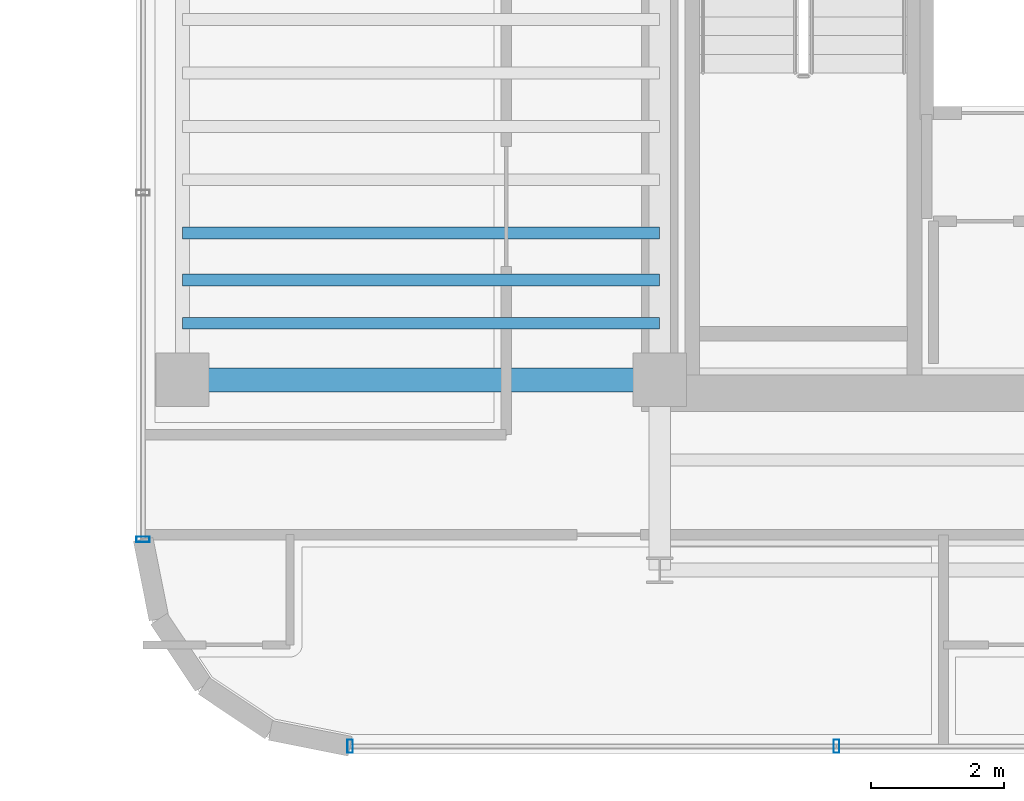
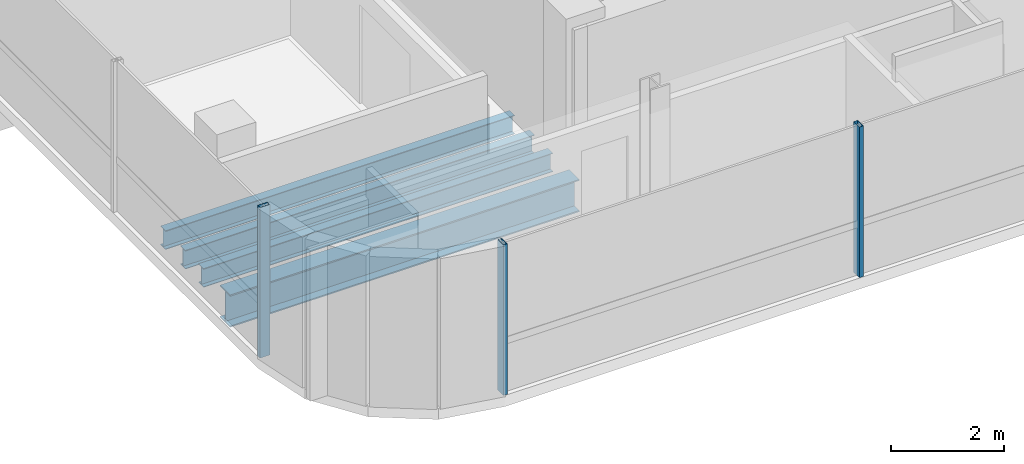
# One storey, part 2 of 20: 4 beams, 3 members, 2 elements without a shape of their own.
"""IFC4 building model written with IfcOpenShell, lengths in metres."""

from ifc_helpers import new_model, si_unit, direction, frame, origin, origin_2d, place, context, subcontext, project, spatial, hollow_rectangle, i_section, extrude, source, transform, mapped, material, material_profile, profile_set, type_object, element, aggregate, save


model = new_model("IFC4")

# Units and contexts
model_context = context("Model", 3, precision=1e-05, world=origin(), true_north=direction((0.0, 1.0)))
body_context = subcontext(model_context, "Body", "Model", "MODEL_VIEW")
ifc_project = project(units=[si_unit("LENGTHUNIT", "METRE"), si_unit("AREAUNIT", "SQUARE_METRE"), si_unit("VOLUMEUNIT", "CUBIC_METRE"), si_unit("PLANEANGLEUNIT", "RADIAN"), si_unit("MASSUNIT", "GRAM", prefix="KILO")], contexts=[model_context])

# Site, building, storey
site_placement = place(None, origin())
site = spatial("IfcSite", under=ifc_project, at=site_placement, CompositionType="ELEMENT")
building_placement = place(site_placement, origin())
building = spatial("IfcBuilding", under=site, at=building_placement, Name="Valdorenza Pilgrim Sanctuary Tower", CompositionType="ELEMENT")
storey_placement = place(building_placement, frame((0.0, 0.0, 244.0)))
storey = spatial("IfcBuildingStorey", under=building, at=storey_placement, Name="L63", CompositionType="ELEMENT", Elevation=244.0)

# Beams
ifc_material_1 = material(Name="Steel ASTM A992 Grade 50", Category="steel")
ifc_material_profile_1 = material_profile(ifc_material_1, i_section(OverallWidth=0.35595703125, OverallDepth=0.700927734375, WebThickness=0.016845703125, FlangeThickness=0.02734375, at=origin_2d()), Name="W27X161")
ifc_profile_set_1 = profile_set([ifc_material_profile_1], Name="Steel ASTM A992 Grade 50")
beam_type_1 = type_object("IfcBeamType", Name="STR-BM-GRD-W27", PredefinedType="BEAM", material=ifc_profile_set_1)
shared_shape_1 = source(origin(), body_context, "Body", "SweptSolid", [
    extrude(i_section(OverallWidth=0.35595703125, OverallDepth=0.700927734375, WebThickness=0.016845703125, FlangeThickness=0.02734375, at=origin_2d()), origin(), (0.0, 0.0, 1.0), 7.150146484375),
])
beam_placement = place(storey_placement, frame((-29.800048828125, -10.60009765625, -0.590576171875), z_axis=(1.0, 0.0, 0.0), x_axis=(0.0, 1.0, 0.0)))
element("IfcBeam", 1, at=beam_placement, inside=storey, type_object=beam_type_1, Name="L63 Floor Girder WA-XW-S1", PredefinedType="BEAM", context=body_context, shape_type="MappedRepresentation", body=[
    mapped(shared_shape_1, transform((0.0, 0.0, 0.0), x_axis=(1.0, 0.0, 0.0), y_axis=(0.0, 1.0, 0.0), z_axis=(0.0, 0.0, 1.0), scale=1.0)),
])
ifc_material_profile_2 = material_profile(ifc_material_1, i_section(OverallWidth=0.177978515625, OverallDepth=0.406005859375, WebThickness=0.0078125, FlangeThickness=0.0126953125, at=origin_2d()), Name="W16X40")
ifc_profile_set_2 = profile_set([ifc_material_profile_2], Name="Steel ASTM A992 Grade 50")
beam_type_2 = type_object("IfcBeamType", Name="STR-BM-JST-W16", PredefinedType="JOIST", material=ifc_profile_set_2)
shared_shape_2 = source(origin(), body_context, "Body", "SweptSolid", [
    extrude(i_section(OverallWidth=0.177978515625, OverallDepth=0.406005859375, WebThickness=0.0078125, FlangeThickness=0.0126953125, at=origin_2d()), origin(), (0.0, 0.0, 1.0), 7.150146484375),
])
for number, where, z_axis, x_axis, name in (
    (2, (-29.800048828125, -9.75, -0.443115234375), (1.0, 0.0, 0.0), (0.0, 1.0, 0.0), "L63 Composite Floor Joist JST-WA-1"),
    (3, (-29.800048828125, -9.10009765625, -0.443115234375), (1.0, 0.0, 0.0), (0.0, 1.0, 0.0), "L63 Composite Floor Joist JST-WA-2"),
    (4, (-29.800048828125, -8.39990234375, -0.443115234375), (1.0, 0.0, 0.0), (0.0, 1.0, 0.0), "L63 Composite Floor Joist JST-WA-3"),
):
    element("IfcBeam", number, at=place(storey_placement, frame(where, z_axis=z_axis, x_axis=x_axis)), inside=storey, type_object=beam_type_2, Name=name, PredefinedType="JOIST", context=body_context, shape_type="MappedRepresentation", body=[
        mapped(shared_shape_2, transform((0.0, 0.0, 0.0), x_axis=(1.0, 0.0, 0.0), y_axis=(0.0, 1.0, 0.0), z_axis=(0.0, 0.0, 1.0), scale=1.0)),
    ])

# Curtain wall, member
ifc_material_2 = material(Name="Curtain-wall IGU glazing", Category="glass")
curtain_wall_type = type_object("IfcCurtainWallType", Name="CW-SYS-02", PredefinedType="NOTDEFINED", material=ifc_material_2)
curtain_wall_1_placement = place(storey_placement, origin())
curtain_wall_1 = element("IfcCurtainWall", 5, at=curtain_wall_1_placement, inside=storey, type_object=curtain_wall_type, Name="L63 Curtain Wall CW-L63-1-1S1", PredefinedType="NOTDEFINED")
ifc_material_3 = material(Name="Anodised aluminium AW-6060", Category="aluminium")
ifc_material_profile_3 = material_profile(ifc_material_3, hollow_rectangle(XDim=0.0849609375, YDim=0.199951171875, WallThickness=0.0048828125, at=origin_2d()), Name="ALU-M 200x85x5")
ifc_profile_set_3 = profile_set([ifc_material_profile_3], Name="Anodised aluminium AW-6060")
member_type = type_object("IfcMemberType", Name="CW-MUL-02", PredefinedType="MULLION", material=ifc_profile_set_3)
shared_shape_3 = source(origin(), body_context, "Body", "SweptSolid", [
    extrude(hollow_rectangle(XDim=0.0849609375, YDim=0.199951171875, WallThickness=0.0048828125, at=origin_2d()), origin(), (0.0, 0.0, 1.0), 3.260009765625),
])
member_1_placement = place(storey_placement, frame((-30.389892578125, -12.9892578125, 0.0), z_axis=(0.0, 0.0, 1.0), x_axis=(0.0, 1.0, 0.0)))
member_1 = element("IfcMember", 6, at=member_1_placement, type_object=member_type, Name="CW-L63-1-1S1 Mullion 1", PredefinedType="MULLION", context=body_context, shape_type="MappedRepresentation", body=[
    mapped(shared_shape_3, transform((0.0, 0.0, 0.0), x_axis=(1.0, 0.0, 0.0), y_axis=(0.0, 1.0, 0.0), z_axis=(0.0, 0.0, 1.0), scale=1.0)),
])
aggregate(curtain_wall_1, [member_1])

# Curtain wall, members
curtain_wall_2_placement = place(storey_placement, origin())
curtain_wall_2 = element("IfcCurtainWall", 7, at=curtain_wall_2_placement, inside=storey, type_object=curtain_wall_type, Name="L63 Curtain Wall CW-L63-1-26", PredefinedType="NOTDEFINED")
member_2_placement = place(storey_placement, frame((-20.0, -16.090087890625, 0.0), z_axis=(0.0, 0.0, 1.0), x_axis=(-1.0, 0.0, 0.0)))
member_2 = element("IfcMember", 8, at=member_2_placement, type_object=member_type, Name="CW-L63-1-26 Mullion 2", PredefinedType="MULLION", context=body_context, shape_type="MappedRepresentation", body=[
    mapped(shared_shape_3, transform((0.0, 0.0, 0.0), x_axis=(1.0, 0.0, 0.0), y_axis=(0.0, 1.0, 0.0), z_axis=(0.0, 0.0, 1.0), scale=1.0)),
])
member_3_placement = place(storey_placement, frame((-27.289306640625, -16.090087890625, 0.0), z_axis=(0.0, 0.0, 1.0), x_axis=(-1.0, 0.0, 0.0)))
member_3 = element("IfcMember", 9, at=member_3_placement, type_object=member_type, Name="CW-L63-1-26 Mullion 3", PredefinedType="MULLION", context=body_context, shape_type="MappedRepresentation", body=[
    mapped(shared_shape_3, transform((0.0, 0.0, 0.0), x_axis=(1.0, 0.0, 0.0), y_axis=(0.0, 1.0, 0.0), z_axis=(0.0, 0.0, 1.0), scale=1.0)),
])
aggregate(curtain_wall_2, [member_2, member_3])

save(model, "model.ifc")
